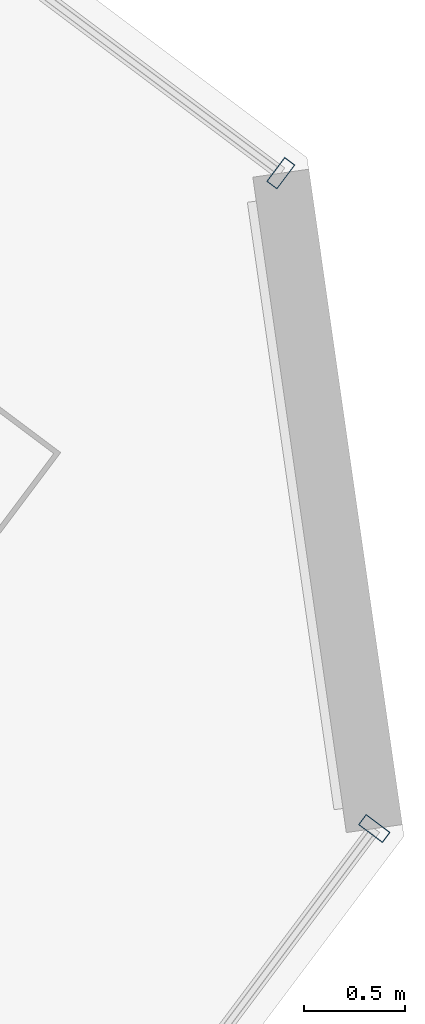
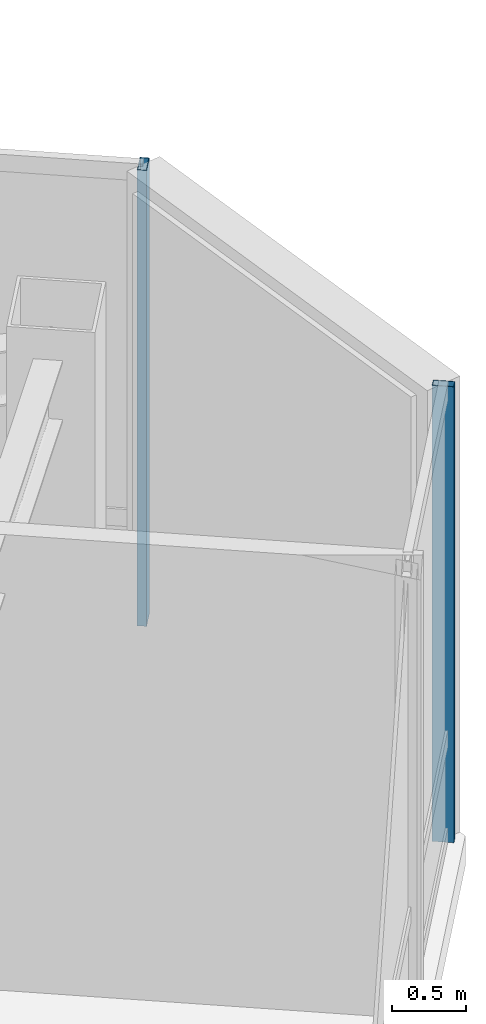
# One storey, part 20 of 30: 2 members, 2 elements without a shape of their own.
"""IFC4 building model written with IfcOpenShell, lengths in metres."""

from ifc_helpers import new_model, si_unit, direction, frame, origin, origin_2d, place, context, subcontext, project, spatial, hollow_rectangle, extrude, material, layer, layer_set, material_profile, profile_set, type_object, element, aggregate, save


model = new_model("IFC4")

# Units and contexts
model_context = context("Model", 3, precision=1e-05, world=origin(), true_north=direction((0.0, 1.0)))
body_context = subcontext(model_context, "Body", "Model", "MODEL_VIEW")
ifc_project = project(units=[si_unit("LENGTHUNIT", "METRE"), si_unit("AREAUNIT", "SQUARE_METRE"), si_unit("VOLUMEUNIT", "CUBIC_METRE"), si_unit("PLANEANGLEUNIT", "RADIAN"), si_unit("MASSUNIT", "GRAM", prefix="KILO")], contexts=[model_context])

# Site, building, storey
site_placement = place(None, origin())
site = spatial("IfcSite", under=ifc_project, at=site_placement, CompositionType="ELEMENT")
building_placement = place(site_placement, origin())
building = spatial("IfcBuilding", under=site, at=building_placement, Name="Hatsunagi Terrace Concourse", CompositionType="ELEMENT")
storey_placement = place(building_placement, frame((0.0, 0.0, 273.949951171875)))
storey = spatial("IfcBuildingStorey", under=building, at=storey_placement, Name="L72", CompositionType="ELEMENT", Elevation=273.949951171875)

# Curtain wall, member
ifc_material_1 = material(Name="Anodised Aluminium Alloy 6063-T5", Category="aluminium")
ifc_layer = layer(ifc_material_1, 0.199951171875)
ifc_layer_set = layer_set([ifc_layer], Name="CrownWintergarden_CW06")
curtain_wall_type = type_object("IfcCurtainWallType", Name="CrownWintergarden_CW06", PredefinedType="NOTDEFINED", material=ifc_layer_set)
curtain_wall_1_placement = place(storey_placement, origin())
curtain_wall_1 = element("IfcCurtainWall", 1, at=curtain_wall_1_placement, inside=storey, type_object=curtain_wall_type, Name="Unitised Curtain Wall CW-06 CW-L72-01", PredefinedType="NOTDEFINED")
ifc_material_2 = material(Name="Anodised Aluminium Alloy 6063-T5", Category="aluminium")
ifc_material_profile = material_profile(ifc_material_2, hollow_rectangle(XDim=0.06494140625, YDim=0.14990234375, WallThickness=0.00390625, at=origin_2d()), Name="ALU-MUL-150x65x4")
ifc_profile_set = profile_set([ifc_material_profile], Name="Anodised Aluminium Alloy 6063-T5")
member_type = type_object("IfcMemberType", Name="CurtainWallMullion_Crown_150x65", PredefinedType="MULLION", material=ifc_profile_set)
member_1_placement = place(storey_placement, frame((53.030029296875, 34.60302734375, 0.0), z_axis=(0.0, 0.0, 1.0), x_axis=(0.800023013105, -0.599969314634, 0.0)))
member_1 = element("IfcMember", 2, at=member_1_placement, type_object=member_type, Name="Curtain Wall Mullion MUL-03", PredefinedType="MULLION", context=body_context, shape_type="SweptSolid", body=[
    extrude(hollow_rectangle(XDim=0.06494140625, YDim=0.14990234375, WallThickness=0.00390625, at=origin_2d()), origin(), (0.0, 0.0, 1.0), 3.75),
])
aggregate(curtain_wall_1, [member_1])

curtain_wall_2_placement = place(storey_placement, origin())
curtain_wall_2 = element("IfcCurtainWall", 3, at=curtain_wall_2_placement, inside=storey, type_object=curtain_wall_type, Name="Unitised Curtain Wall CW-06 CW-L72-03", PredefinedType="NOTDEFINED")
member_2_placement = place(storey_placement, frame((53.492919921875, 31.35791015625, 0.0), z_axis=(0.0, 0.0, 1.0), x_axis=(-0.599969314634, -0.800023013105, 0.0)))
member_2 = element("IfcMember", 4, at=member_2_placement, type_object=member_type, Name="Curtain Wall Mullion MUL-03", PredefinedType="MULLION", context=body_context, shape_type="SweptSolid", body=[
    extrude(hollow_rectangle(XDim=0.06494140625, YDim=0.14990234375, WallThickness=0.00390625, at=origin_2d()), origin(), (0.0, 0.0, 1.0), 3.75),
])
aggregate(curtain_wall_2, [member_2])

save(model, "model.ifc")
